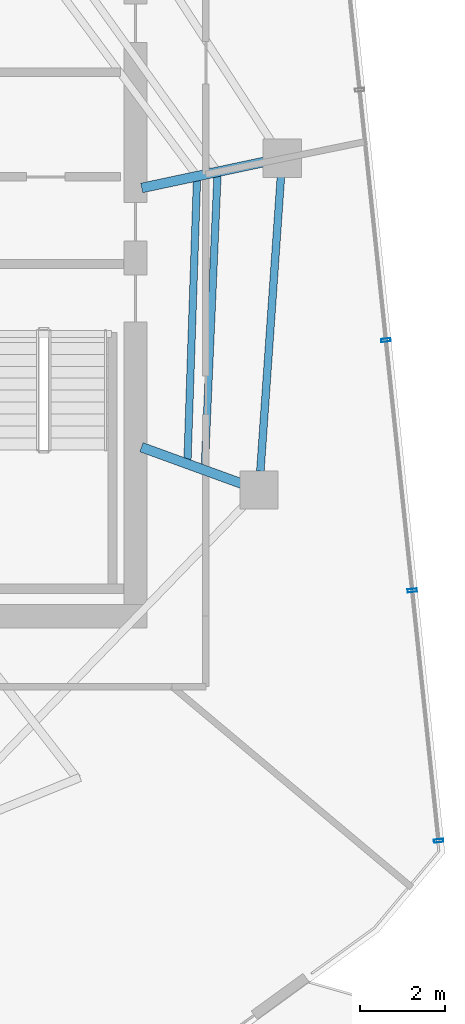
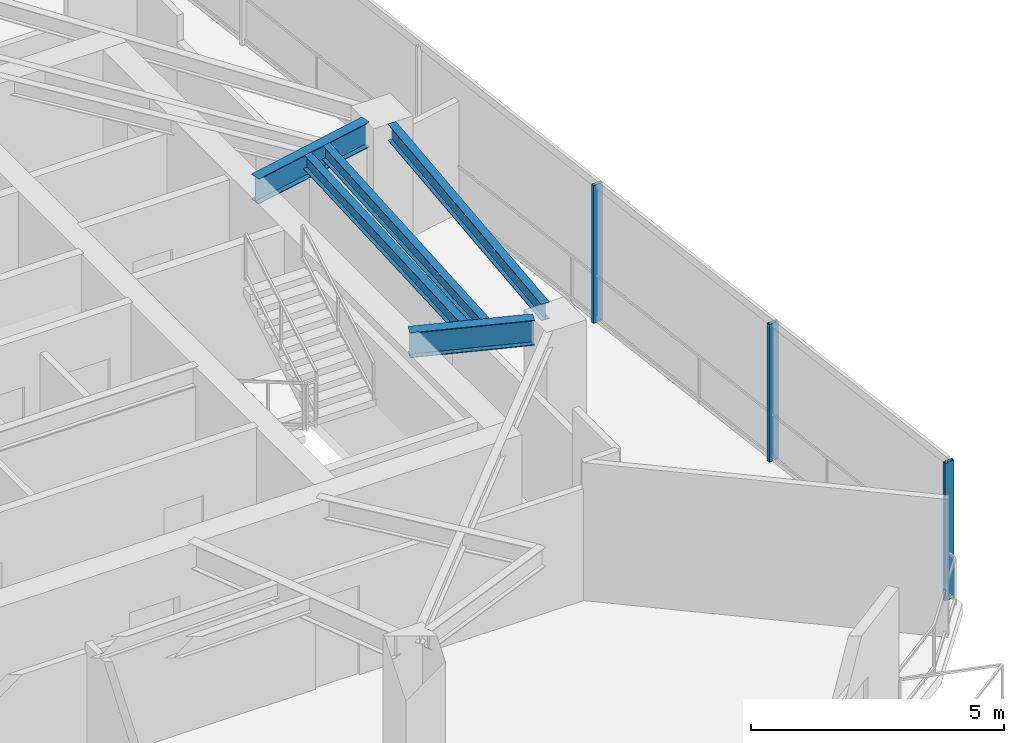
# One storey, part 9 of 20: 5 beams, 3 members, 1 element without a shape of its own.
"""IFC4 building model written with IfcOpenShell, lengths in metres."""

from ifc_helpers import new_model, si_unit, direction, frame, origin, origin_2d, place, context, subcontext, project, spatial, hollow_rectangle, i_section, extrude, material, layer, layer_set, material_profile, profile_set, type_object, element, aggregate, save


model = new_model("IFC4")

# Units and contexts
model_context = context("Model", 3, precision=1e-05, world=origin(), true_north=direction((0.0, 1.0)))
body_context = subcontext(model_context, "Body", "Model", "MODEL_VIEW")
ifc_project = project(units=[si_unit("LENGTHUNIT", "METRE"), si_unit("AREAUNIT", "SQUARE_METRE"), si_unit("VOLUMEUNIT", "CUBIC_METRE"), si_unit("PLANEANGLEUNIT", "RADIAN"), si_unit("MASSUNIT", "GRAM", prefix="KILO")], contexts=[model_context])

# Site, building, storey
site_placement = place(None, origin())
site = spatial("IfcSite", under=ifc_project, at=site_placement, CompositionType="ELEMENT")
building_placement = place(site_placement, origin())
building = spatial("IfcBuilding", under=site, at=building_placement, Name="Qarnah Convention Tower", CompositionType="ELEMENT")
storey_placement = place(building_placement, frame((0.0, 0.0, 202.199951171875)))
storey = spatial("IfcBuildingStorey", under=building, at=storey_placement, Name="L54", CompositionType="ELEMENT", Elevation=202.199951171875)

# Beams
ifc_material_1 = material(Name="Structural steel S355JR", Category="steel")
ifc_material_profile_1 = material_profile(ifc_material_1, i_section(OverallWidth=0.172119140625, OverallDepth=0.35595703125, WebThickness=0.007080078125, FlangeThickness=0.011962890625, at=origin_2d()), Name="W360X51")
ifc_profile_set_1 = profile_set([ifc_material_profile_1], Name="Structural steel S355JR")
beam_type_1 = type_object("IfcBeamType", Name="BM-JST-W360", PredefinedType="JOIST", material=ifc_profile_set_1)
beam_1_placement = place(storey_placement, frame((49.22607421875, 22.114013671875, 3.14208984375), z_axis=(0.043514871399, 0.99905277937, 0.0), x_axis=(-0.99905277937, 0.043514871399, 0.0)))
element("IfcBeam", 1, at=beam_1_placement, inside=storey, type_object=beam_type_1, Name="L54 joist BM-L54-SJST-09", PredefinedType="JOIST", context=body_context, shape_type="SweptSolid", body=[
    extrude(i_section(OverallWidth=0.172119140625, OverallDepth=0.35595703125, WebThickness=0.007080078125, FlangeThickness=0.011962890625, at=origin_2d()), origin(), (0.0, 0.0, 1.0), 6.822265625),
])
beam_2_placement = place(storey_placement, frame((48.820068359375, 22.260986328125, 3.14208984375), z_axis=(0.033775053136, 0.999429460135, 0.0), x_axis=(-0.999429460135, 0.033775053136, 0.0)))
element("IfcBeam", 2, at=beam_2_placement, inside=storey, type_object=beam_type_1, Name="L54 joist BM-L54-IJST-09", PredefinedType="JOIST", context=body_context, shape_type="SweptSolid", body=[
    extrude(i_section(OverallWidth=0.172119140625, OverallDepth=0.35595703125, WebThickness=0.007080078125, FlangeThickness=0.011962890625, at=origin_2d()), origin(), (0.0, 0.0, 1.0), 6.570556640625),
])
ifc_material_profile_2 = material_profile(ifc_material_1, i_section(OverallWidth=0.22802734375, OverallDepth=0.60791015625, WebThickness=0.010986328125, FlangeThickness=0.01708984375, at=origin_2d()), Name="W610X113")
ifc_profile_set_2 = profile_set([ifc_material_profile_2], Name="Structural steel S355JR")
beam_type_2 = type_object("IfcBeamType", Name="BM-RAD-W610B", PredefinedType="BEAM", material=ifc_profile_set_2)
beam_3_placement = place(storey_placement, frame((47.7470703125, 28.64208984375, 3.01611328125), z_axis=(0.978136876062, 0.207962140033, 0.0), x_axis=(-0.207962140033, 0.978136876062, 0.0)))
element("IfcBeam", 3, at=beam_3_placement, inside=storey, type_object=beam_type_2, Name="L54 beam BM-L54-RAD-01", PredefinedType="BEAM", context=body_context, shape_type="SweptSolid", body=[
    extrude(i_section(OverallWidth=0.22802734375, OverallDepth=0.60791015625, WebThickness=0.010986328125, FlangeThickness=0.01708984375, at=origin_2d()), origin(), (0.0, 0.0, 1.0), 2.937255859375),
])
beam_4_placement = place(storey_placement, frame((47.740966796875, 22.56298828125, 3.01611328125), z_axis=(0.939707956932, -0.341978004671, 0.0), x_axis=(0.341978004671, 0.939707956932, 0.0)))
element("IfcBeam", 4, at=beam_4_placement, inside=storey, type_object=beam_type_2, Name="L54 beam BM-L54-RAD-09", PredefinedType="BEAM", context=body_context, shape_type="SweptSolid", body=[
    extrude(i_section(OverallWidth=0.22802734375, OverallDepth=0.60791015625, WebThickness=0.010986328125, FlangeThickness=0.01708984375, at=origin_2d()), origin(), (0.0, 0.0, 1.0), 2.5029296875),
])
ifc_material_profile_3 = material_profile(ifc_material_1, i_section(OverallWidth=0.179931640625, OverallDepth=0.39990234375, WebThickness=0.009033203125, FlangeThickness=0.013916015625, at=origin_2d()), Name="IPE400")
ifc_profile_set_3 = profile_set([ifc_material_profile_3], Name="Structural steel S355JR")
beam_type_3 = type_object("IfcBeamType", Name="BM-SPN-IPE400", PredefinedType="SPANDREL", material=ifc_profile_set_3)
beam_5_placement = place(storey_placement, frame((50.528076171875, 21.9990234375, 3.1201171875), z_axis=(0.069635000818, 0.997572537042, 0.0), x_axis=(-0.997572537042, 0.069635000818, 0.0)))
element("IfcBeam", 5, at=beam_5_placement, inside=storey, type_object=beam_type_3, Name="L54 spandrel BM-L54-SPN-09", PredefinedType="SPANDREL", context=body_context, shape_type="SweptSolid", body=[
    extrude(i_section(OverallWidth=0.179931640625, OverallDepth=0.39990234375, WebThickness=0.009033203125, FlangeThickness=0.013916015625, at=origin_2d()), origin(), (0.0, 0.0, 1.0), 6.9208984375),
])

# Curtain wall, members
ifc_material_2 = material(Name="Tempered Low-E dark glass", Category="glass")
ifc_layer = layer(ifc_material_2, 0.174072265625)
ifc_layer_set = layer_set([ifc_layer], Name="Tempered Low-E dark glass")
curtain_wall_type = type_object("IfcCurtainWallType", Name="CWS-04", PredefinedType="NOTDEFINED", material=ifc_layer_set)
curtain_wall_placement = place(storey_placement, origin())
curtain_wall = element("IfcCurtainWall", 6, at=curtain_wall_placement, inside=storey, type_object=curtain_wall_type, Name="L54 unitised curtain wall CW-L54-F2", PredefinedType="NOTDEFINED")
ifc_material_3 = material(Name="Black anodised aluminium", Category="aluminium")
ifc_material_profile_4 = material_profile(ifc_material_3, hollow_rectangle(XDim=0.074951171875, YDim=0.219970703125, WallThickness=0.0048828125, at=origin_2d()), Name="MUL-75X220")
ifc_profile_set_4 = profile_set([ifc_material_profile_4], Name="Black anodised aluminium")
member_type = type_object("IfcMemberType", Name="MUL-T4", PredefinedType="MULLION", material=ifc_profile_set_4)
member_1_placement = place(storey_placement, frame((53.473388671875, 25.073486328125, 0.0), z_axis=(0.0, 0.0, 1.0), x_axis=(0.104504856791, -0.994524376226, 0.0)))
member_1 = element("IfcMember", 7, at=member_1_placement, type_object=member_type, Name="CW-L54-F2 mullion 4", PredefinedType="MULLION", context=body_context, shape_type="SweptSolid", body=[
    extrude(hollow_rectangle(XDim=0.074951171875, YDim=0.219970703125, WallThickness=0.0048828125, at=origin_2d()), origin(), (0.0, 0.0, 1.0), 3.320068359375),
])
member_2_placement = place(storey_placement, frame((54.090087890625, 19.203857421875, 0.0), z_axis=(0.0, 0.0, 1.0), x_axis=(0.104504856791, -0.994524376226, 0.0)))
member_2 = element("IfcMember", 8, at=member_2_placement, type_object=member_type, Name="CW-L54-F2 mullion 5", PredefinedType="MULLION", context=body_context, shape_type="SweptSolid", body=[
    extrude(hollow_rectangle(XDim=0.074951171875, YDim=0.219970703125, WallThickness=0.0048828125, at=origin_2d()), origin(), (0.0, 0.0, 1.0), 3.320068359375),
])
member_3_placement = place(storey_placement, frame((54.70703125, 13.333984375, 0.0), z_axis=(0.0, 0.0, 1.0), x_axis=(0.104504856791, -0.994524376226, 0.0)))
member_3 = element("IfcMember", 9, at=member_3_placement, type_object=member_type, Name="CW-L54-F2 mullion 6", PredefinedType="MULLION", context=body_context, shape_type="SweptSolid", body=[
    extrude(hollow_rectangle(XDim=0.074951171875, YDim=0.219970703125, WallThickness=0.0048828125, at=origin_2d()), origin(), (0.0, 0.0, 1.0), 3.320068359375),
])
aggregate(curtain_wall, [member_1, member_2, member_3])

save(model, "model.ifc")
